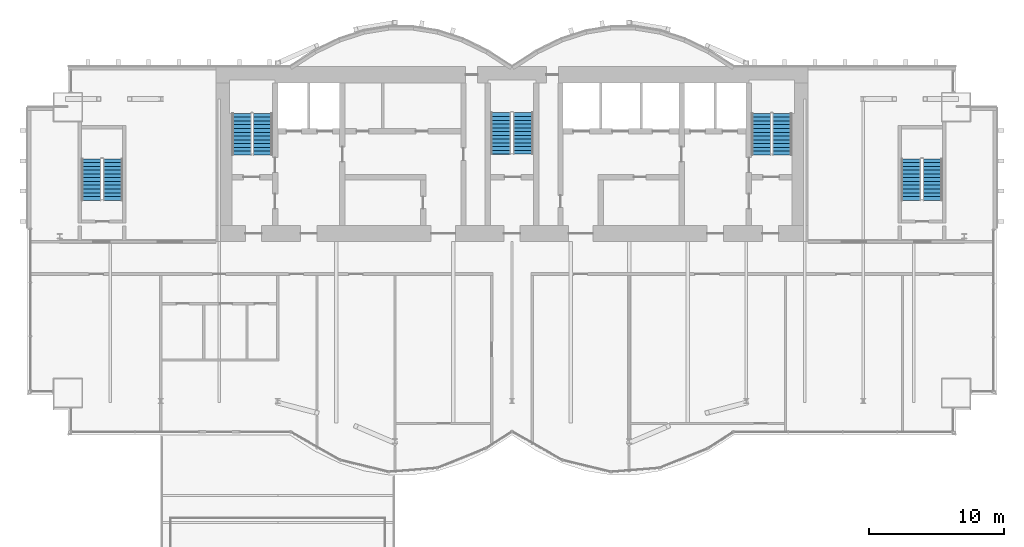
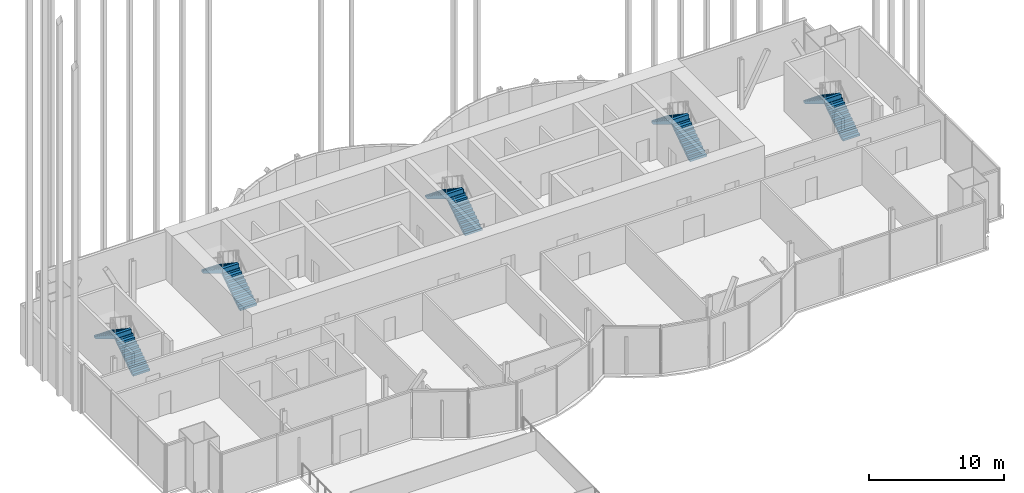
# One storey, part 19 of 22: 10 stair flights, 5 elements without a shape of their own.
"""IFC4 building model written with IfcOpenShell, lengths in metres."""

from ifc_helpers import new_model, si_unit, direction, frame, origin, place, context, subcontext, project, spatial, polyline, outline, extrude, material, type_object, element, aggregate, save


model = new_model("IFC4")

# Units and contexts
model_context = context("Model", 3, precision=1e-05, world=origin(), true_north=direction((0.0, 1.0)))
body_context = subcontext(model_context, "Body", "Model", "MODEL_VIEW")
ifc_project = project(units=[si_unit("LENGTHUNIT", "METRE"), si_unit("AREAUNIT", "SQUARE_METRE"), si_unit("VOLUMEUNIT", "CUBIC_METRE"), si_unit("PLANEANGLEUNIT", "RADIAN"), si_unit("MASSUNIT", "GRAM", prefix="KILO")], contexts=[model_context])

# Site, building, storey
site_placement = place(None, origin())
site = spatial("IfcSite", under=ifc_project, at=site_placement, CompositionType="ELEMENT")
building_placement = place(site_placement, origin())
building = spatial("IfcBuilding", under=site, at=building_placement, Name="Bicima Exchange Tower", CompositionType="ELEMENT")
storey_placement = place(building_placement, frame((0.0, 0.0, 293.0)))
storey = spatial("IfcBuildingStorey", under=building, at=storey_placement, Name="L66", CompositionType="ELEMENT", Elevation=293.0)

# Stair, stair flights
ifc_material = material(Name="Concrete C50/60", Category="concrete")
stair_type_1 = type_object("IfcStairType", Name="Exit stair", PredefinedType="HALF_TURN_STAIR", material=ifc_material)
stair_1_placement = place(storey_placement, origin())
stair_1 = element("IfcStair", 1, at=stair_1_placement, inside=storey, type_object=stair_type_1, Name="L66 West exit stair", PredefinedType="HALF_TURN_STAIR")
stair_flight_type_1 = type_object("IfcStairFlightType", Name="Stair flight RC", PredefinedType="STRAIGHT", material=ifc_material)
stair_flight_1_placement = place(storey_placement, frame((-18.52490234375, -6.550048828125, 0.0), z_axis=(0.0, 0.0, 1.0), x_axis=(0.0, 1.0, 0.0)))
stair_flight_1 = element("IfcStairFlight", 2, at=stair_flight_1_placement, type_object=stair_flight_type_1, Name="ST-W flight 1", NumberOfRisers=12, NumberOfTreads=11, PredefinedType="STRAIGHT", RiserHeight=0.1875, TreadLength=0.28, context=body_context, shape_type="SweptSolid", body=[
    extrude(outline(polyline([(0.0, 0.0), (0.0, 0.1875), (0.280029296875, 0.1875), (0.280029296875, 0.375), (0.56005859375, 0.375), (0.56005859375, 0.5625), (0.840087890625, 0.5625), (0.840087890625, 0.75), (1.1201171875, 0.75), (1.1201171875, 0.9375), (1.39990234375, 0.9375), (1.39990234375, 1.125), (1.679931640625, 1.125), (1.679931640625, 1.3125), (1.9599609375, 1.3125), (1.9599609375, 1.5), (2.239990234375, 1.5), (2.239990234375, 1.6875), (2.52001953125, 1.6875), (2.52001953125, 1.875), (2.800048828125, 1.875), (2.800048828125, 2.0625), (3.080078125, 2.0625), (3.080078125, 2.25), (3.080078125, 1.882080078125), (0.26953125, 0.0), (0.0, 0.0)])), frame((0.0, 0.72509765625, 0.0), z_axis=(0.0, -1.0, 0.0), x_axis=(1.0, 0.0, 0.0)), (0.0, 0.0, 1.0), 1.449951171875),
])
stair_flight_2_placement = place(storey_placement, frame((-20.074951171875, -3.469970703125, 2.25), z_axis=(0.0, 0.0, 1.0), x_axis=(0.0, -1.0, 0.0)))
stair_flight_2 = element("IfcStairFlight", 3, at=stair_flight_2_placement, type_object=stair_flight_type_1, Name="ST-W flight 2", NumberOfRisers=12, NumberOfTreads=11, PredefinedType="STRAIGHT", RiserHeight=0.1875, TreadLength=0.28, context=body_context, shape_type="SweptSolid", body=[
    extrude(outline(polyline([(0.0, 0.0), (0.0, 0.1875), (0.280029296875, 0.1875), (0.280029296875, 0.375), (0.56005859375, 0.375), (0.56005859375, 0.5625), (0.840087890625, 0.5625), (0.840087890625, 0.75), (1.1201171875, 0.75), (1.1201171875, 0.9375), (1.39990234375, 0.9375), (1.39990234375, 1.125), (1.679931640625, 1.125), (1.679931640625, 1.3125), (1.9599609375, 1.3125), (1.9599609375, 1.5), (2.239990234375, 1.5), (2.239990234375, 1.6875), (2.52001953125, 1.6875), (2.52001953125, 1.875), (2.800048828125, 1.875), (2.800048828125, 2.0625), (3.080078125, 2.0625), (3.080078125, 2.10400390625), (3.094970703125, 2.10400390625), (3.094970703125, 1.70458984375), (0.26953125, 0.0), (0.0, 0.0)])), frame((0.0, 0.72509765625, 0.0), z_axis=(0.0, -1.0, 0.0), x_axis=(1.0, 0.0, 0.0)), (0.0, 0.0, 1.0), 1.449951171875),
])
aggregate(stair_1, [stair_flight_1, stair_flight_2])

stair_2_placement = place(storey_placement, origin())
stair_2 = element("IfcStair", 4, at=stair_2_placement, inside=storey, type_object=stair_type_1, Name="L66 East exit stair", PredefinedType="HALF_TURN_STAIR")
stair_flight_3_placement = place(storey_placement, frame((20.074951171875, -6.550048828125, 0.0), z_axis=(0.0, 0.0, 1.0), x_axis=(0.0, 1.0, 0.0)))
stair_flight_3 = element("IfcStairFlight", 5, at=stair_flight_3_placement, type_object=stair_flight_type_1, Name="ST-E flight 1", NumberOfRisers=12, NumberOfTreads=11, PredefinedType="STRAIGHT", RiserHeight=0.1875, TreadLength=0.28, context=body_context, shape_type="SweptSolid", body=[
    extrude(outline(polyline([(0.0, 0.0), (0.0, 0.1875), (0.280029296875, 0.1875), (0.280029296875, 0.375), (0.56005859375, 0.375), (0.56005859375, 0.5625), (0.840087890625, 0.5625), (0.840087890625, 0.75), (1.1201171875, 0.75), (1.1201171875, 0.9375), (1.39990234375, 0.9375), (1.39990234375, 1.125), (1.679931640625, 1.125), (1.679931640625, 1.3125), (1.9599609375, 1.3125), (1.9599609375, 1.5), (2.239990234375, 1.5), (2.239990234375, 1.6875), (2.52001953125, 1.6875), (2.52001953125, 1.875), (2.800048828125, 1.875), (2.800048828125, 2.0625), (3.080078125, 2.0625), (3.080078125, 2.25), (3.080078125, 1.882080078125), (0.26953125, 0.0), (0.0, 0.0)])), frame((0.0, 0.72509765625, 0.0), z_axis=(0.0, -1.0, 0.0), x_axis=(1.0, 0.0, 0.0)), (0.0, 0.0, 1.0), 1.449951171875),
])
stair_flight_4_placement = place(storey_placement, frame((18.52490234375, -3.469970703125, 2.25), z_axis=(0.0, 0.0, 1.0), x_axis=(0.0, -1.0, 0.0)))
stair_flight_4 = element("IfcStairFlight", 6, at=stair_flight_4_placement, type_object=stair_flight_type_1, Name="ST-E flight 2", NumberOfRisers=12, NumberOfTreads=11, PredefinedType="STRAIGHT", RiserHeight=0.1875, TreadLength=0.28, context=body_context, shape_type="SweptSolid", body=[
    extrude(outline(polyline([(0.0, 0.0), (0.0, 0.1875), (0.280029296875, 0.1875), (0.280029296875, 0.375), (0.56005859375, 0.375), (0.56005859375, 0.5625), (0.840087890625, 0.5625), (0.840087890625, 0.75), (1.1201171875, 0.75), (1.1201171875, 0.9375), (1.39990234375, 0.9375), (1.39990234375, 1.125), (1.679931640625, 1.125), (1.679931640625, 1.3125), (1.9599609375, 1.3125), (1.9599609375, 1.5), (2.239990234375, 1.5), (2.239990234375, 1.6875), (2.52001953125, 1.6875), (2.52001953125, 1.875), (2.800048828125, 1.875), (2.800048828125, 2.0625), (3.080078125, 2.0625), (3.080078125, 2.10400390625), (3.094970703125, 2.10400390625), (3.094970703125, 1.70458984375), (0.26953125, 0.0), (0.0, 0.0)])), frame((0.0, 0.72509765625, 0.0), z_axis=(0.0, -1.0, 0.0), x_axis=(1.0, 0.0, 0.0)), (0.0, 0.0, 1.0), 1.449951171875),
])
aggregate(stair_2, [stair_flight_3, stair_flight_4])

stair_3_placement = place(storey_placement, origin())
stair_3 = element("IfcStair", 7, at=stair_3_placement, inside=storey, type_object=stair_type_1, Name="L66 West end exit stair", PredefinedType="HALF_TURN_STAIR")
stair_flight_5_placement = place(storey_placement, frame((-29.64990234375, -9.925048828125, 0.0), z_axis=(0.0, 0.0, 1.0), x_axis=(0.0, 1.0, 0.0)))
stair_flight_5 = element("IfcStairFlight", 8, at=stair_flight_5_placement, type_object=stair_flight_type_1, Name="ST-WW flight 1", NumberOfRisers=12, NumberOfTreads=11, PredefinedType="STRAIGHT", RiserHeight=0.1875, TreadLength=0.28, context=body_context, shape_type="SweptSolid", body=[
    extrude(outline(polyline([(0.0, 0.0), (0.0, 0.1875), (0.280029296875, 0.1875), (0.280029296875, 0.375), (0.56005859375, 0.375), (0.56005859375, 0.5625), (0.840087890625, 0.5625), (0.840087890625, 0.75), (1.1201171875, 0.75), (1.1201171875, 0.9375), (1.39990234375, 0.9375), (1.39990234375, 1.125), (1.679931640625, 1.125), (1.679931640625, 1.3125), (1.9599609375, 1.3125), (1.9599609375, 1.5), (2.239990234375, 1.5), (2.239990234375, 1.6875), (2.52001953125, 1.6875), (2.52001953125, 1.875), (2.800048828125, 1.875), (2.800048828125, 2.0625), (3.080078125, 2.0625), (3.080078125, 2.25), (3.080078125, 1.882080078125), (0.26953125, 0.0), (0.0, 0.0)])), frame((0.0, 0.72509765625, 0.0), z_axis=(0.0, -1.0, 0.0), x_axis=(1.0, 0.0, 0.0)), (0.0, 0.0, 1.0), 1.449951171875),
])
stair_flight_6_placement = place(storey_placement, frame((-31.25, -6.844970703125, 2.25), z_axis=(0.0, 0.0, 1.0), x_axis=(0.0, -1.0, 0.0)))
stair_flight_6 = element("IfcStairFlight", 9, at=stair_flight_6_placement, type_object=stair_flight_type_1, Name="ST-WW flight 2", NumberOfRisers=12, NumberOfTreads=11, PredefinedType="STRAIGHT", RiserHeight=0.1875, TreadLength=0.28, context=body_context, shape_type="SweptSolid", body=[
    extrude(outline(polyline([(0.0, 0.0), (0.0, 0.1875), (0.280029296875, 0.1875), (0.280029296875, 0.375), (0.56005859375, 0.375), (0.56005859375, 0.5625), (0.840087890625, 0.5625), (0.840087890625, 0.75), (1.1201171875, 0.75), (1.1201171875, 0.9375), (1.39990234375, 0.9375), (1.39990234375, 1.125), (1.679931640625, 1.125), (1.679931640625, 1.3125), (1.9599609375, 1.3125), (1.9599609375, 1.5), (2.239990234375, 1.5), (2.239990234375, 1.6875), (2.52001953125, 1.6875), (2.52001953125, 1.875), (2.800048828125, 1.875), (2.800048828125, 2.0625), (3.080078125, 2.0625), (3.080078125, 2.10400390625), (3.094970703125, 2.10400390625), (3.094970703125, 1.70458984375), (0.26953125, 0.0), (0.0, 0.0)])), frame((0.0, 0.72509765625, 0.0), z_axis=(0.0, -1.0, 0.0), x_axis=(1.0, 0.0, 0.0)), (0.0, 0.0, 1.0), 1.449951171875),
])
aggregate(stair_3, [stair_flight_5, stair_flight_6])

stair_4_placement = place(storey_placement, origin())
stair_4 = element("IfcStair", 10, at=stair_4_placement, inside=storey, type_object=stair_type_1, Name="L66 East end exit stair", PredefinedType="HALF_TURN_STAIR")
stair_flight_7_placement = place(storey_placement, frame((31.25, -9.925048828125, 0.0), z_axis=(0.0, 0.0, 1.0), x_axis=(0.0, 1.0, 0.0)))
stair_flight_7 = element("IfcStairFlight", 11, at=stair_flight_7_placement, type_object=stair_flight_type_1, Name="ST-EE flight 1", NumberOfRisers=12, NumberOfTreads=11, PredefinedType="STRAIGHT", RiserHeight=0.1875, TreadLength=0.28, context=body_context, shape_type="SweptSolid", body=[
    extrude(outline(polyline([(0.0, 0.0), (0.0, 0.1875), (0.280029296875, 0.1875), (0.280029296875, 0.375), (0.56005859375, 0.375), (0.56005859375, 0.5625), (0.840087890625, 0.5625), (0.840087890625, 0.75), (1.1201171875, 0.75), (1.1201171875, 0.9375), (1.39990234375, 0.9375), (1.39990234375, 1.125), (1.679931640625, 1.125), (1.679931640625, 1.3125), (1.9599609375, 1.3125), (1.9599609375, 1.5), (2.239990234375, 1.5), (2.239990234375, 1.6875), (2.52001953125, 1.6875), (2.52001953125, 1.875), (2.800048828125, 1.875), (2.800048828125, 2.0625), (3.080078125, 2.0625), (3.080078125, 2.25), (3.080078125, 1.882080078125), (0.26953125, 0.0), (0.0, 0.0)])), frame((0.0, 0.72509765625, 0.0), z_axis=(0.0, -1.0, 0.0), x_axis=(1.0, 0.0, 0.0)), (0.0, 0.0, 1.0), 1.449951171875),
])
stair_flight_8_placement = place(storey_placement, frame((29.64990234375, -6.844970703125, 2.25), z_axis=(0.0, 0.0, 1.0), x_axis=(0.0, -1.0, 0.0)))
stair_flight_8 = element("IfcStairFlight", 12, at=stair_flight_8_placement, type_object=stair_flight_type_1, Name="ST-EE flight 2", NumberOfRisers=12, NumberOfTreads=11, PredefinedType="STRAIGHT", RiserHeight=0.1875, TreadLength=0.28, context=body_context, shape_type="SweptSolid", body=[
    extrude(outline(polyline([(0.0, 0.0), (0.0, 0.1875), (0.280029296875, 0.1875), (0.280029296875, 0.375), (0.56005859375, 0.375), (0.56005859375, 0.5625), (0.840087890625, 0.5625), (0.840087890625, 0.75), (1.1201171875, 0.75), (1.1201171875, 0.9375), (1.39990234375, 0.9375), (1.39990234375, 1.125), (1.679931640625, 1.125), (1.679931640625, 1.3125), (1.9599609375, 1.3125), (1.9599609375, 1.5), (2.239990234375, 1.5), (2.239990234375, 1.6875), (2.52001953125, 1.6875), (2.52001953125, 1.875), (2.800048828125, 1.875), (2.800048828125, 2.0625), (3.080078125, 2.0625), (3.080078125, 2.10400390625), (3.094970703125, 2.10400390625), (3.094970703125, 1.70458984375), (0.26953125, 0.0), (0.0, 0.0)])), frame((0.0, 0.72509765625, 0.0), z_axis=(0.0, -1.0, 0.0), x_axis=(1.0, 0.0, 0.0)), (0.0, 0.0, 1.0), 1.449951171875),
])
aggregate(stair_4, [stair_flight_7, stair_flight_8])

stair_type_2 = type_object("IfcStairType", Name="Exit stair 1500", PredefinedType="HALF_TURN_STAIR", material=ifc_material)
stair_5_placement = place(storey_placement, origin())
stair_5 = element("IfcStair", 13, at=stair_5_placement, inside=storey, type_object=stair_type_2, Name="L66 Central exit stair", PredefinedType="HALF_TURN_STAIR")
stair_flight_type_2 = type_object("IfcStairFlightType", Name="Stair flight RC 1500", PredefinedType="STRAIGHT", material=ifc_material)
stair_flight_9_placement = place(storey_placement, frame((0.824951171875, -6.5, 0.0), z_axis=(0.0, 0.0, 1.0), x_axis=(0.0, 1.0, 0.0)))
stair_flight_9 = element("IfcStairFlight", 14, at=stair_flight_9_placement, type_object=stair_flight_type_2, Name="ST-C flight 1", NumberOfRisers=12, NumberOfTreads=11, PredefinedType="STRAIGHT", RiserHeight=0.1875, TreadLength=0.28, context=body_context, shape_type="SweptSolid", body=[
    extrude(outline(polyline([(0.0, 0.0), (0.0, 0.1875), (0.280029296875, 0.1875), (0.280029296875, 0.375), (0.56005859375, 0.375), (0.56005859375, 0.5625), (0.840087890625, 0.5625), (0.840087890625, 0.75), (1.1201171875, 0.75), (1.1201171875, 0.9375), (1.39990234375, 0.9375), (1.39990234375, 1.125), (1.679931640625, 1.125), (1.679931640625, 1.3125), (1.9599609375, 1.3125), (1.9599609375, 1.5), (2.239990234375, 1.5), (2.239990234375, 1.6875), (2.52001953125, 1.6875), (2.52001953125, 1.875), (2.800048828125, 1.875), (2.800048828125, 2.0625), (3.080078125, 2.0625), (3.080078125, 2.25), (3.080078125, 1.882080078125), (0.26953125, 0.0), (0.0, 0.0)])), frame((0.0, 0.75, 0.0), z_axis=(0.0, -1.0, 0.0), x_axis=(1.0, 0.0, 0.0)), (0.0, 0.0, 1.0), 1.5),
])
stair_flight_10_placement = place(storey_placement, frame((-0.824951171875, -3.419921875, 2.25), z_axis=(0.0, 0.0, 1.0), x_axis=(0.0, -1.0, 0.0)))
stair_flight_10 = element("IfcStairFlight", 15, at=stair_flight_10_placement, type_object=stair_flight_type_2, Name="ST-C flight 2", NumberOfRisers=12, NumberOfTreads=11, PredefinedType="STRAIGHT", RiserHeight=0.1875, TreadLength=0.28, context=body_context, shape_type="SweptSolid", body=[
    extrude(outline(polyline([(0.0, 0.0), (0.0, 0.1875), (0.280029296875, 0.1875), (0.280029296875, 0.375), (0.56005859375, 0.375), (0.56005859375, 0.5625), (0.840087890625, 0.5625), (0.840087890625, 0.75), (1.1201171875, 0.75), (1.1201171875, 0.9375), (1.39990234375, 0.9375), (1.39990234375, 1.125), (1.679931640625, 1.125), (1.679931640625, 1.3125), (1.9599609375, 1.3125), (1.9599609375, 1.5), (2.239990234375, 1.5), (2.239990234375, 1.6875), (2.52001953125, 1.6875), (2.52001953125, 1.875), (2.800048828125, 1.875), (2.800048828125, 2.0625), (3.080078125, 2.0625), (3.080078125, 2.10400390625), (3.094970703125, 2.10400390625), (3.094970703125, 1.70458984375), (0.26953125, 0.0), (0.0, 0.0)])), frame((0.0, 0.75, 0.0), z_axis=(0.0, -1.0, 0.0), x_axis=(1.0, 0.0, 0.0)), (0.0, 0.0, 1.0), 1.5),
])
aggregate(stair_5, [stair_flight_9, stair_flight_10])

save(model, "model.ifc")
